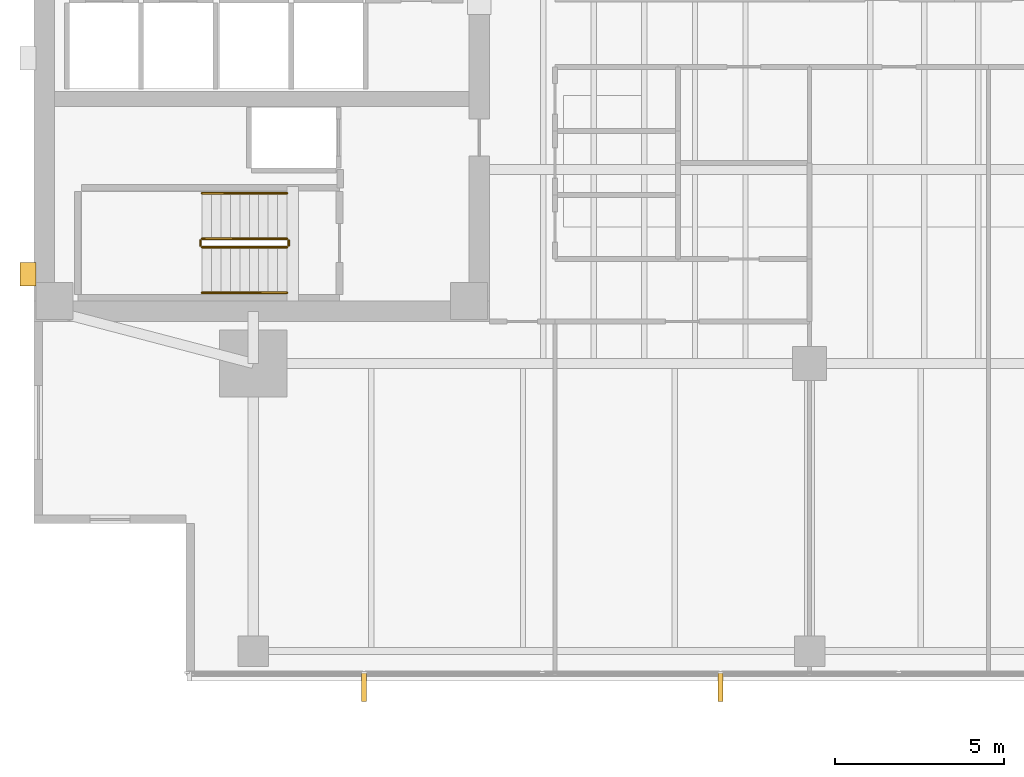
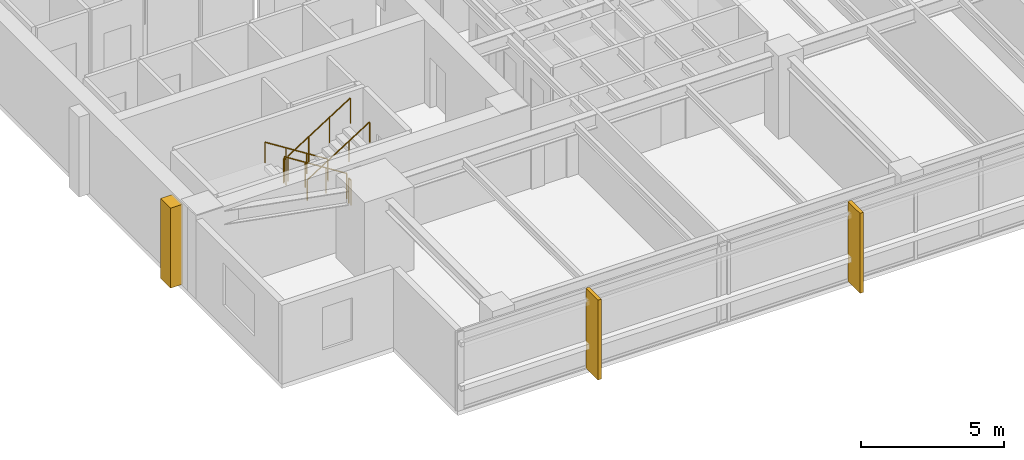
# One storey, part 11 of 14: 6 railings, 3 coverings.
"""IFC4 building model written with IfcOpenShell, lengths in metres."""

from ifc_helpers import new_model, si_unit, direction, frame, origin, origin_2d, place, context, subcontext, project, spatial, polyline, circle, outline, extrude, material, layer, layer_set, type_object, element, save


model = new_model("IFC4")

# Units and contexts
model_context = context("Model", 3, precision=1e-05, world=origin(), true_north=direction((0.0, 1.0)))
body_context = subcontext(model_context, "Body", "Model", "MODEL_VIEW")
ifc_project = project(units=[si_unit("LENGTHUNIT", "METRE"), si_unit("AREAUNIT", "SQUARE_METRE"), si_unit("VOLUMEUNIT", "CUBIC_METRE"), si_unit("PLANEANGLEUNIT", "RADIAN"), si_unit("MASSUNIT", "GRAM", prefix="KILO")], contexts=[model_context])

# Site, building, storey
site_placement = place(None, origin())
site = spatial("IfcSite", under=ifc_project, at=site_placement, CompositionType="ELEMENT")
building_placement = place(site_placement, origin())
building = spatial("IfcBuilding", under=site, at=building_placement, Name="Kinhvarn Gate Tower", CompositionType="ELEMENT")
storey_placement = place(building_placement, frame((0.0, 0.0, 127.10009765625)))
storey = spatial("IfcBuildingStorey", under=building, at=storey_placement, Name="L33", CompositionType="ELEMENT", Elevation=127.10009765625)

# Coverings
ifc_material_1 = material(Name="Fired architectural terracotta", Category="masonry")
ifc_layer_1 = layer(ifc_material_1, 0.139892578125)
ifc_layer_set_1 = layer_set([ifc_layer_1], Name="Fired architectural terracotta")
covering_type_1 = type_object("IfcCoveringType", Name="COV-FIN-850", PredefinedType="CLADDING", material=ifc_layer_set_1)
covering_1_placement = place(storey_placement, frame((0.0, 0.0, -0.02001953125)))
element("IfcCovering", 1, at=covering_1_placement, inside=storey, type_object=covering_type_1, Name="Vertical Terracotta Expressive Fin TFN-850 (L33)", PredefinedType="CLADDING", context=body_context, shape_type="SweptSolid", body=[
    extrude(outline(polyline([(14.2158203125, 3.580078125), (14.355712890625, 3.580078125), (14.355712890625, 2.72998046875), (14.2158203125, 2.72998046875), (14.2158203125, 3.580078125)])), origin(), (0.0, 0.0, 1.0), 3.409912109375),
])
covering_2_placement = place(storey_placement, frame((0.0, 0.0, -0.02001953125)))
element("IfcCovering", 2, at=covering_2_placement, inside=storey, type_object=covering_type_1, Name="Vertical Terracotta Expressive Fin TFN-850 (L33)", PredefinedType="CLADDING", context=body_context, shape_type="SweptSolid", body=[
    extrude(outline(polyline([(24.787109375, 3.580078125), (24.927001953125, 3.580078125), (24.927001953125, 2.72998046875), (24.787109375, 2.72998046875), (24.787109375, 3.580078125)])), origin(), (0.0, 0.0, 1.0), 3.409912109375),
])
ifc_material_2 = material(Name="Precast white architectural concrete C40/50", Category="concrete")
ifc_layer_2 = layer(ifc_material_2, 0.47998046875)
ifc_layer_set_2 = layer_set([ifc_layer_2], Name="Precast white architectural concrete C40/50")
covering_type_2 = type_object("IfcCoveringType", Name="COV-RIB-450", PredefinedType="CLADDING", material=ifc_layer_set_2)
covering_3_placement = place(storey_placement, frame((0.0, 0.0, -0.02001953125)))
element("IfcCovering", 3, at=covering_3_placement, inside=storey, type_object=covering_type_2, Name="West Core Sculptural Concrete Relief Rib CRB-450 (L33)", PredefinedType="CLADDING", context=body_context, shape_type="SweptSolid", body=[
    extrude(outline(polyline([(4.080078125, 15.050048828125), (4.56005859375, 15.050048828125), (4.56005859375, 15.75), (4.080078125, 15.75), (4.080078125, 15.050048828125)])), origin(), (0.0, 0.0, 1.0), 3.409912109375),
])

# Railings
ifc_material_3 = material(Name="Steel S355", Category="steel")
railing_type_1 = type_object("IfcRailingType", Name="RL-ST-GRD", PredefinedType="BALUSTRADE", material=ifc_material_3)
railing_1_placement = place(storey_placement, frame((12.0, 16.449951171875, 0.177490234375)))
element("IfcRailing", 4, at=railing_1_placement, inside=storey, type_object=railing_type_1, Name="L33 ST1 stair guard 1", PredefinedType="BALUSTRADE", context=body_context, shape_type="SweptSolid", body=[
    extrude(circle(Radius=0.02392578125, at=origin_2d()), frame((0.0, 0.0, 1.076171875), z_axis=(-0.84460694969, 0.0, 0.535386869969), x_axis=(0.0, -1.0, 0.0)), (0.0, 0.0, 1.0), 2.983642578125),
    extrude(circle(Radius=0.02099609375, at=origin_2d()), origin(), (0.0, 0.0, 1.0), 1.052001953125),
    extrude(circle(Radius=0.02099609375, at=origin_2d()), frame((-0.840087890625, 0.0, 0.532470703125)), (0.0, 0.0, 1.0), 1.052001953125),
    extrude(circle(Radius=0.02099609375, at=origin_2d()), frame((-1.679931640625, 0.0, 1.06494140625)), (0.0, 0.0, 1.0), 1.052001953125),
    extrude(circle(Radius=0.02099609375, at=origin_2d()), frame((-2.52001953125, 0.0, 1.597412109375)), (0.0, 0.0, 1.0), 1.052001953125),
])
railing_2_placement = place(storey_placement, frame((9.429931640625, 16.39990234375, 1.77490234375)))
element("IfcRailing", 5, at=railing_2_placement, inside=storey, type_object=railing_type_1, Name="L33 ST1 stair guard 2", PredefinedType="BALUSTRADE", context=body_context, shape_type="SweptSolid", body=[
    extrude(circle(Radius=0.02392578125, at=origin_2d()), frame((0.0, 0.0, 1.076171875), z_axis=(0.0, -1.0, 0.0), x_axis=(1.0, 0.0, 0.0)), (0.0, 0.0, 1.0), 0.14990234375),
    extrude(circle(Radius=0.02099609375, at=origin_2d()), origin(), (0.0, 0.0, 1.0), 1.052001953125),
    extrude(circle(Radius=0.02099609375, at=origin_2d()), frame((0.0, -0.14990234375, 0.0)), (0.0, 0.0, 1.0), 1.052001953125),
])
railing_3_placement = place(storey_placement, frame((9.47998046875, 16.199951171875, 1.952392578125)))
element("IfcRailing", 6, at=railing_3_placement, inside=storey, type_object=railing_type_1, Name="L33 ST1 stair guard 3", PredefinedType="BALUSTRADE", context=body_context, shape_type="SweptSolid", body=[
    extrude(circle(Radius=0.02392578125, at=origin_2d()), frame((0.0, 0.0, 1.076171875), z_axis=(0.84460694969, 0.0, 0.535386869969), x_axis=(0.0, 1.0, 0.0)), (0.0, 0.0, 1.0), 2.983642578125),
    extrude(circle(Radius=0.02099609375, at=origin_2d()), origin(), (0.0, 0.0, 1.0), 1.052001953125),
    extrude(circle(Radius=0.02099609375, at=origin_2d()), frame((0.840087890625, 0.0, 0.532470703125)), (0.0, 0.0, 1.0), 1.052001953125),
    extrude(circle(Radius=0.02099609375, at=origin_2d()), frame((1.679931640625, 0.0, 1.06494140625)), (0.0, 0.0, 1.0), 1.052001953125),
    extrude(circle(Radius=0.02099609375, at=origin_2d()), frame((2.52001953125, 0.0, 1.597412109375)), (0.0, 0.0, 1.0), 1.052001953125),
])
railing_4_placement = place(storey_placement, frame((12.050048828125, 16.39990234375, 0.0)))
element("IfcRailing", 7, at=railing_4_placement, inside=storey, type_object=railing_type_1, Name="L33 ST1 stair guard 4", PredefinedType="BALUSTRADE", context=body_context, shape_type="SweptSolid", body=[
    extrude(circle(Radius=0.02392578125, at=origin_2d()), frame((0.0, 0.0, 1.076171875), z_axis=(0.0, -1.0, 0.0), x_axis=(1.0, 0.0, 0.0)), (0.0, 0.0, 1.0), 0.14990234375),
    extrude(circle(Radius=0.02099609375, at=origin_2d()), origin(), (0.0, 0.0, 1.0), 1.052001953125),
    extrude(circle(Radius=0.02099609375, at=origin_2d()), frame((0.0, -0.14990234375, 0.0)), (0.0, 0.0, 1.0), 1.052001953125),
])
railing_type_2 = type_object("IfcRailingType", Name="RL-ST-HND", PredefinedType="HANDRAIL", material=ifc_material_3)
railing_5_placement = place(storey_placement, frame((12.0, 17.800048828125, 0.177490234375)))
element("IfcRailing", 8, at=railing_5_placement, inside=storey, type_object=railing_type_2, Name="L33 ST1 stair handrail 1", PredefinedType="HANDRAIL", context=body_context, shape_type="SweptSolid", body=[
    extrude(circle(Radius=0.02392578125, at=origin_2d()), frame((0.0, 0.0, 0.8759765625), z_axis=(-0.84460694969, 0.0, 0.535386869969), x_axis=(0.0, -1.0, 0.0)), (0.0, 0.0, 1.0), 2.983642578125),
    extrude(circle(Radius=0.02099609375, at=origin_2d()), origin(), (0.0, 0.0, 1.0), 0.851806640625),
    extrude(circle(Radius=0.02099609375, at=origin_2d()), frame((-0.840087890625, 0.0, 0.532470703125)), (0.0, 0.0, 1.0), 0.851806640625),
    extrude(circle(Radius=0.02099609375, at=origin_2d()), frame((-1.679931640625, 0.0, 1.06494140625)), (0.0, 0.0, 1.0), 0.851806640625),
    extrude(circle(Radius=0.02099609375, at=origin_2d()), frame((-2.52001953125, 0.0, 1.597412109375)), (0.0, 0.0, 1.0), 0.851806640625),
])
railing_6_placement = place(storey_placement, frame((9.47998046875, 14.85009765625, 1.952392578125)))
element("IfcRailing", 9, at=railing_6_placement, inside=storey, type_object=railing_type_2, Name="L33 ST1 stair handrail 2", PredefinedType="HANDRAIL", context=body_context, shape_type="SweptSolid", body=[
    extrude(circle(Radius=0.02392578125, at=origin_2d()), frame((0.0, 0.0, 0.8759765625), z_axis=(0.84460694969, 0.0, 0.535386869969), x_axis=(0.0, 1.0, 0.0)), (0.0, 0.0, 1.0), 2.983642578125),
    extrude(circle(Radius=0.02099609375, at=origin_2d()), origin(), (0.0, 0.0, 1.0), 0.851806640625),
    extrude(circle(Radius=0.02099609375, at=origin_2d()), frame((0.840087890625, 0.0, 0.532470703125)), (0.0, 0.0, 1.0), 0.851806640625),
    extrude(circle(Radius=0.02099609375, at=origin_2d()), frame((1.679931640625, 0.0, 1.06494140625)), (0.0, 0.0, 1.0), 0.851806640625),
    extrude(circle(Radius=0.02099609375, at=origin_2d()), frame((2.52001953125, 0.0, 1.597412109375)), (0.0, 0.0, 1.0), 0.851806640625),
])

save(model, "model.ifc")
